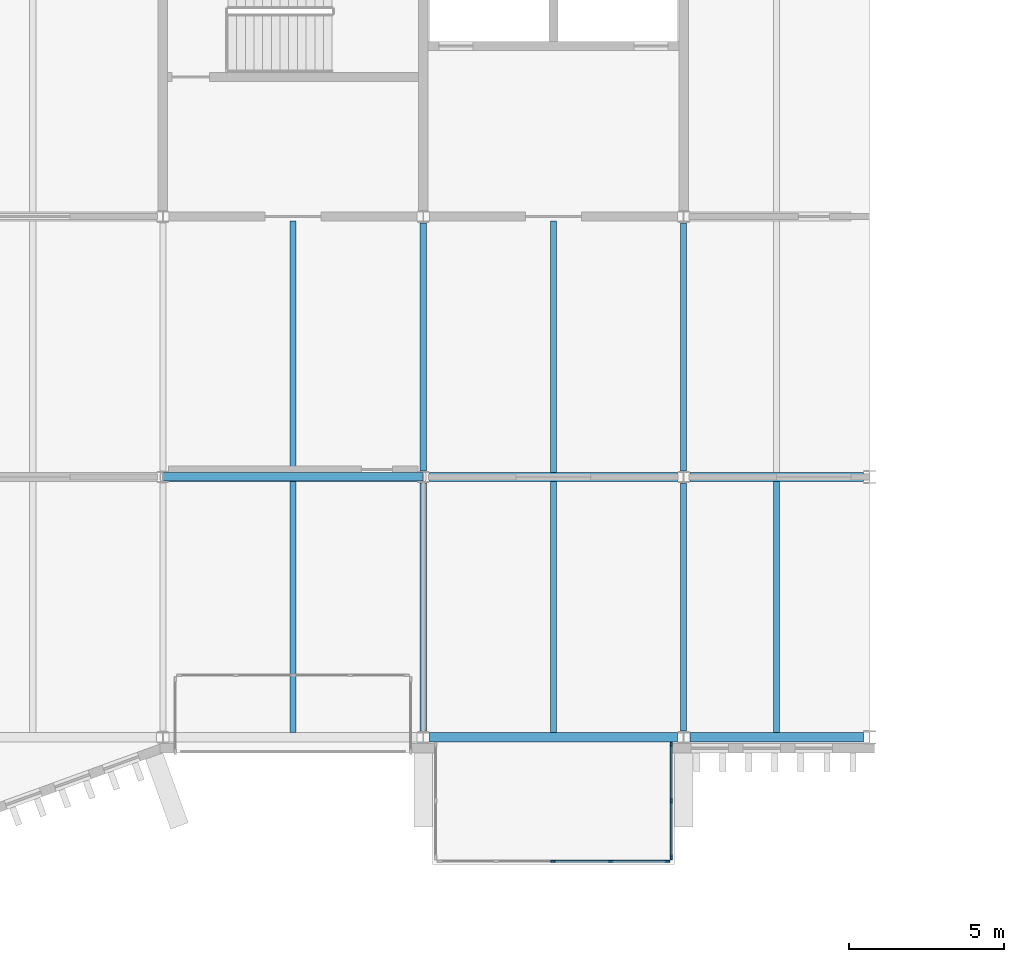
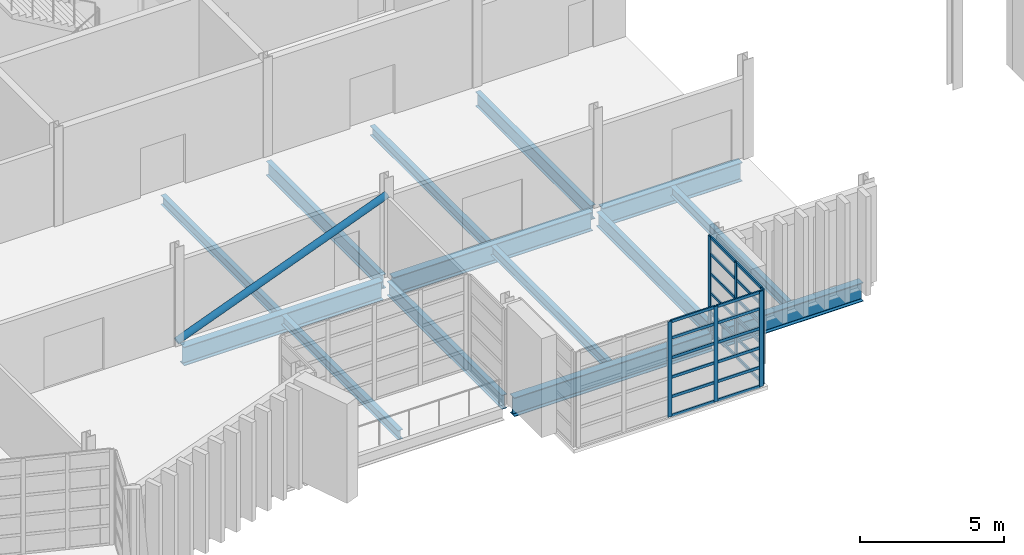
# One storey, part 37 of 96: 31 members, 14 beams, 2 elements without a shape of their own.
"""IFC4 building model written with IfcOpenShell, lengths in metres."""

from ifc_helpers import new_model, si_unit, direction, frame, origin, origin_2d, place, context, subcontext, project, spatial, rectangle, hollow_circle, i_section, extrude, material, layer, layer_set, material_profile, profile_set, type_object, element, aggregate, save


model = new_model("IFC4")

# Units and contexts
model_context = context("Model", 3, precision=1e-05, world=origin(), true_north=direction((0.0, 1.0)))
body_context = subcontext(model_context, "Body", "Model", "MODEL_VIEW")
ifc_project = project(units=[si_unit("LENGTHUNIT", "METRE"), si_unit("AREAUNIT", "SQUARE_METRE"), si_unit("VOLUMEUNIT", "CUBIC_METRE"), si_unit("PLANEANGLEUNIT", "RADIAN"), si_unit("MASSUNIT", "GRAM", prefix="KILO")], contexts=[model_context])

# Site, building, storey
site_placement = place(None, origin())
site = spatial("IfcSite", under=ifc_project, at=site_placement, CompositionType="ELEMENT")
building_placement = place(site_placement, origin())
building = spatial("IfcBuilding", under=site, at=building_placement, Name="Cresset Court Congress Hotel", CompositionType="ELEMENT")
storey_placement = place(building_placement, frame((0.0, 0.0, 6.0)))
storey = spatial("IfcBuildingStorey", under=building, at=storey_placement, Name="L01", CompositionType="ELEMENT", Elevation=6.0)

# Curtain wall, members
ifc_material_1 = material(Name="Aluminium frame with double glazing", Category="aluminium")
ifc_layer = layer(ifc_material_1, 0.199951171875)
ifc_layer_set = layer_set([ifc_layer], Name="Glazed box curtain wall 1680 module")
curtain_wall_type = type_object("IfcCurtainWallType", Name="Glazed box curtain wall 1680 module", PredefinedType="NOTDEFINED", material=ifc_layer_set)
curtain_wall_1_placement = place(storey_placement, origin())
curtain_wall_1 = element("IfcCurtainWall", 1, at=curtain_wall_1_placement, inside=storey, type_object=curtain_wall_type, Name="Glazed box S0121 front", PredefinedType="NOTDEFINED")
ifc_material_2 = material(Name="Aluminium", Category="aluminium")
ifc_material_profile_1 = material_profile(ifc_material_2, rectangle(XDim=0.06005859375, YDim=0.159912109375, at=origin_2d()), Name="Box mullion 60x160")
ifc_profile_set_1 = profile_set([ifc_material_profile_1], Name="Aluminium")
member_type_1 = type_object("IfcMemberType", Name="Box mullion 60x160", PredefinedType="MULLION", material=ifc_profile_set_1)
member_1_placement = place(storey_placement, frame((147.0, -4.0, 0.0), z_axis=(0.0, 0.0, 1.0), x_axis=(0.0, 1.0, 0.0)))
member_1 = element("IfcMember", 2, at=member_1_placement, type_object=member_type_1, Name="B-X1 mullion 3", PredefinedType="MULLION", context=body_context, shape_type="SweptSolid", body=[
    extrude(rectangle(XDim=0.06005859375, YDim=0.159912109375, at=origin_2d()), origin(), (0.0, 0.0, 1.0), 4.050048828125),
])
member_2_placement = place(storey_placement, frame((148.85009765625, -4.0, 0.0), z_axis=(0.0, 0.0, 1.0), x_axis=(0.0, 1.0, 0.0)))
member_2 = element("IfcMember", 3, at=member_2_placement, type_object=member_type_1, Name="B-X1 mullion 4", PredefinedType="MULLION", context=body_context, shape_type="SweptSolid", body=[
    extrude(rectangle(XDim=0.06005859375, YDim=0.159912109375, at=origin_2d()), origin(), (0.0, 0.0, 1.0), 4.050048828125),
])
member_3_placement = place(storey_placement, frame((150.669921875, -4.0, 0.0), z_axis=(0.0, 0.0, 1.0), x_axis=(0.0, 1.0, 0.0)))
member_3 = element("IfcMember", 4, at=member_3_placement, type_object=member_type_1, Name="B-X1 mullion 5", PredefinedType="MULLION", context=body_context, shape_type="SweptSolid", body=[
    extrude(rectangle(XDim=0.06005859375, YDim=0.159912109375, at=origin_2d()), origin(), (0.0, 0.0, 1.0), 4.050048828125),
])

curtain_wall_2_placement = place(storey_placement, origin())
curtain_wall_2 = element("IfcCurtainWall", 5, at=curtain_wall_2_placement, inside=storey, type_object=curtain_wall_type, Name="Glazed box S0121 side", PredefinedType="NOTDEFINED")
member_4_placement = place(storey_placement, frame((150.800048828125, -0.22998046875, 0.0), z_axis=(0.0, 0.0, 1.0), x_axis=(1.0, 0.0, 0.0)))
member_4 = element("IfcMember", 6, at=member_4_placement, type_object=member_type_1, Name="B-X1 mullion 1", PredefinedType="MULLION", context=body_context, shape_type="SweptSolid", body=[
    extrude(rectangle(XDim=0.06005859375, YDim=0.159912109375, at=origin_2d()), origin(), (0.0, 0.0, 1.0), 4.050048828125),
])
member_5_placement = place(storey_placement, frame((150.800048828125, -2.050048828125, 0.0), z_axis=(0.0, 0.0, 1.0), x_axis=(1.0, 0.0, 0.0)))
member_5 = element("IfcMember", 7, at=member_5_placement, type_object=member_type_1, Name="B-X1 mullion 2", PredefinedType="MULLION", context=body_context, shape_type="SweptSolid", body=[
    extrude(rectangle(XDim=0.06005859375, YDim=0.159912109375, at=origin_2d()), origin(), (0.0, 0.0, 1.0), 4.050048828125),
])
member_6_placement = place(storey_placement, frame((150.800048828125, -3.8701171875, 0.0), z_axis=(0.0, 0.0, 1.0), x_axis=(1.0, 0.0, 0.0)))
member_6 = element("IfcMember", 8, at=member_6_placement, type_object=member_type_1, Name="B-X1 mullion 3", PredefinedType="MULLION", context=body_context, shape_type="SweptSolid", body=[
    extrude(rectangle(XDim=0.06005859375, YDim=0.159912109375, at=origin_2d()), origin(), (0.0, 0.0, 1.0), 4.050048828125),
])

# Member
ifc_material_3 = material(Name="Aluminium", Category="aluminium")
ifc_material_profile_2 = material_profile(ifc_material_3, rectangle(XDim=0.06005859375, YDim=0.1201171875, at=origin_2d()), Name="Box transom 60x120")
ifc_profile_set_2 = profile_set([ifc_material_profile_2], Name="Aluminium")
member_type_2 = type_object("IfcMemberType", Name="Box transom 60x120", PredefinedType="USERDEFINED", material=ifc_profile_set_2)
member_7_placement = place(storey_placement, frame((147.030029296875, -4.0, 0.030029296875), z_axis=(1.0, 0.0, 0.0), x_axis=(0.0, 1.0, 0.0)))
member_7 = element("IfcMember", 9, at=member_7_placement, type_object=member_type_2, Name="B-X1 transom 3.1", ObjectType="TRANSOM", PredefinedType="USERDEFINED", context=body_context, shape_type="SweptSolid", body=[
    extrude(rectangle(XDim=0.06005859375, YDim=0.1201171875, at=origin_2d()), origin(), (0.0, 0.0, 1.0), 1.7900390625),
])

member_8_placement = place(storey_placement, frame((147.030029296875, -4.0, 0.830078125), z_axis=(1.0, 0.0, 0.0), x_axis=(0.0, 1.0, 0.0)))
member_8 = element("IfcMember", 10, at=member_8_placement, type_object=member_type_2, Name="B-X1 transom 3.2", ObjectType="TRANSOM", PredefinedType="USERDEFINED", context=body_context, shape_type="SweptSolid", body=[
    extrude(rectangle(XDim=0.06005859375, YDim=0.1201171875, at=origin_2d()), origin(), (0.0, 0.0, 1.0), 1.7900390625),
])

member_9_placement = place(storey_placement, frame((147.030029296875, -4.0, 1.659912109375), z_axis=(1.0, 0.0, 0.0), x_axis=(0.0, 1.0, 0.0)))
member_9 = element("IfcMember", 11, at=member_9_placement, type_object=member_type_2, Name="B-X1 transom 3.3", ObjectType="TRANSOM", PredefinedType="USERDEFINED", context=body_context, shape_type="SweptSolid", body=[
    extrude(rectangle(XDim=0.06005859375, YDim=0.1201171875, at=origin_2d()), origin(), (0.0, 0.0, 1.0), 1.7900390625),
])

member_10_placement = place(storey_placement, frame((147.030029296875, -4.0, 2.489990234375), z_axis=(1.0, 0.0, 0.0), x_axis=(0.0, 1.0, 0.0)))
member_10 = element("IfcMember", 12, at=member_10_placement, type_object=member_type_2, Name="B-X1 transom 3.4", ObjectType="TRANSOM", PredefinedType="USERDEFINED", context=body_context, shape_type="SweptSolid", body=[
    extrude(rectangle(XDim=0.06005859375, YDim=0.1201171875, at=origin_2d()), origin(), (0.0, 0.0, 1.0), 1.7900390625),
])

member_11_placement = place(storey_placement, frame((147.030029296875, -4.0, 3.320068359375), z_axis=(1.0, 0.0, 0.0), x_axis=(0.0, 1.0, 0.0)))
member_11 = element("IfcMember", 13, at=member_11_placement, type_object=member_type_2, Name="B-X1 transom 3.5", ObjectType="TRANSOM", PredefinedType="USERDEFINED", context=body_context, shape_type="SweptSolid", body=[
    extrude(rectangle(XDim=0.06005859375, YDim=0.1201171875, at=origin_2d()), origin(), (0.0, 0.0, 1.0), 1.7900390625),
])

member_12_placement = place(storey_placement, frame((147.030029296875, -4.0, 4.02001953125), z_axis=(1.0, 0.0, 0.0), x_axis=(0.0, 1.0, 0.0)))
member_12 = element("IfcMember", 14, at=member_12_placement, type_object=member_type_2, Name="B-X1 transom 3.6", ObjectType="TRANSOM", PredefinedType="USERDEFINED", context=body_context, shape_type="SweptSolid", body=[
    extrude(rectangle(XDim=0.06005859375, YDim=0.1201171875, at=origin_2d()), origin(), (0.0, 0.0, 1.0), 1.7900390625),
])

member_13_placement = place(storey_placement, frame((148.8798828125, -4.0, 0.030029296875), z_axis=(1.0, 0.0, 0.0), x_axis=(0.0, 1.0, 0.0)))
member_13 = element("IfcMember", 15, at=member_13_placement, type_object=member_type_2, Name="B-X1 transom 4.1", ObjectType="TRANSOM", PredefinedType="USERDEFINED", context=body_context, shape_type="SweptSolid", body=[
    extrude(rectangle(XDim=0.06005859375, YDim=0.1201171875, at=origin_2d()), origin(), (0.0, 0.0, 1.0), 1.760009765625),
])

member_14_placement = place(storey_placement, frame((148.8798828125, -4.0, 0.830078125), z_axis=(1.0, 0.0, 0.0), x_axis=(0.0, 1.0, 0.0)))
member_14 = element("IfcMember", 16, at=member_14_placement, type_object=member_type_2, Name="B-X1 transom 4.2", ObjectType="TRANSOM", PredefinedType="USERDEFINED", context=body_context, shape_type="SweptSolid", body=[
    extrude(rectangle(XDim=0.06005859375, YDim=0.1201171875, at=origin_2d()), origin(), (0.0, 0.0, 1.0), 1.760009765625),
])

member_15_placement = place(storey_placement, frame((148.8798828125, -4.0, 1.659912109375), z_axis=(1.0, 0.0, 0.0), x_axis=(0.0, 1.0, 0.0)))
member_15 = element("IfcMember", 17, at=member_15_placement, type_object=member_type_2, Name="B-X1 transom 4.3", ObjectType="TRANSOM", PredefinedType="USERDEFINED", context=body_context, shape_type="SweptSolid", body=[
    extrude(rectangle(XDim=0.06005859375, YDim=0.1201171875, at=origin_2d()), origin(), (0.0, 0.0, 1.0), 1.760009765625),
])

member_16_placement = place(storey_placement, frame((148.8798828125, -4.0, 2.489990234375), z_axis=(1.0, 0.0, 0.0), x_axis=(0.0, 1.0, 0.0)))
member_16 = element("IfcMember", 18, at=member_16_placement, type_object=member_type_2, Name="B-X1 transom 4.4", ObjectType="TRANSOM", PredefinedType="USERDEFINED", context=body_context, shape_type="SweptSolid", body=[
    extrude(rectangle(XDim=0.06005859375, YDim=0.1201171875, at=origin_2d()), origin(), (0.0, 0.0, 1.0), 1.760009765625),
])

member_17_placement = place(storey_placement, frame((148.8798828125, -4.0, 3.320068359375), z_axis=(1.0, 0.0, 0.0), x_axis=(0.0, 1.0, 0.0)))
member_17 = element("IfcMember", 19, at=member_17_placement, type_object=member_type_2, Name="B-X1 transom 4.5", ObjectType="TRANSOM", PredefinedType="USERDEFINED", context=body_context, shape_type="SweptSolid", body=[
    extrude(rectangle(XDim=0.06005859375, YDim=0.1201171875, at=origin_2d()), origin(), (0.0, 0.0, 1.0), 1.760009765625),
])

member_18_placement = place(storey_placement, frame((148.8798828125, -4.0, 4.02001953125), z_axis=(1.0, 0.0, 0.0), x_axis=(0.0, 1.0, 0.0)))
member_18 = element("IfcMember", 20, at=member_18_placement, type_object=member_type_2, Name="B-X1 transom 4.6", ObjectType="TRANSOM", PredefinedType="USERDEFINED", context=body_context, shape_type="SweptSolid", body=[
    extrude(rectangle(XDim=0.06005859375, YDim=0.1201171875, at=origin_2d()), origin(), (0.0, 0.0, 1.0), 1.760009765625),
])

aggregate(curtain_wall_1, [member_1, member_2, member_3, member_7, member_8, member_9, member_10, member_11, member_12, member_13, member_14, member_15, member_16, member_17, member_18])

member_19_placement = place(storey_placement, frame((150.800048828125, -0.260009765625, 0.030029296875), z_axis=(0.0, -1.0, 0.0), x_axis=(1.0, 0.0, 0.0)))
member_19 = element("IfcMember", 21, at=member_19_placement, type_object=member_type_2, Name="B-X1 transom 1.1", ObjectType="TRANSOM", PredefinedType="USERDEFINED", context=body_context, shape_type="SweptSolid", body=[
    extrude(rectangle(XDim=0.06005859375, YDim=0.1201171875, at=origin_2d()), origin(), (0.0, 0.0, 1.0), 1.760009765625),
])

member_20_placement = place(storey_placement, frame((150.800048828125, -0.260009765625, 0.830078125), z_axis=(0.0, -1.0, 0.0), x_axis=(1.0, 0.0, 0.0)))
member_20 = element("IfcMember", 22, at=member_20_placement, type_object=member_type_2, Name="B-X1 transom 1.2", ObjectType="TRANSOM", PredefinedType="USERDEFINED", context=body_context, shape_type="SweptSolid", body=[
    extrude(rectangle(XDim=0.06005859375, YDim=0.1201171875, at=origin_2d()), origin(), (0.0, 0.0, 1.0), 1.760009765625),
])

member_21_placement = place(storey_placement, frame((150.800048828125, -0.260009765625, 1.659912109375), z_axis=(0.0, -1.0, 0.0), x_axis=(1.0, 0.0, 0.0)))
member_21 = element("IfcMember", 23, at=member_21_placement, type_object=member_type_2, Name="B-X1 transom 1.3", ObjectType="TRANSOM", PredefinedType="USERDEFINED", context=body_context, shape_type="SweptSolid", body=[
    extrude(rectangle(XDim=0.06005859375, YDim=0.1201171875, at=origin_2d()), origin(), (0.0, 0.0, 1.0), 1.760009765625),
])

member_22_placement = place(storey_placement, frame((150.800048828125, -0.260009765625, 2.489990234375), z_axis=(0.0, -1.0, 0.0), x_axis=(1.0, 0.0, 0.0)))
member_22 = element("IfcMember", 24, at=member_22_placement, type_object=member_type_2, Name="B-X1 transom 1.4", ObjectType="TRANSOM", PredefinedType="USERDEFINED", context=body_context, shape_type="SweptSolid", body=[
    extrude(rectangle(XDim=0.06005859375, YDim=0.1201171875, at=origin_2d()), origin(), (0.0, 0.0, 1.0), 1.760009765625),
])

member_23_placement = place(storey_placement, frame((150.800048828125, -0.260009765625, 3.320068359375), z_axis=(0.0, -1.0, 0.0), x_axis=(1.0, 0.0, 0.0)))
member_23 = element("IfcMember", 25, at=member_23_placement, type_object=member_type_2, Name="B-X1 transom 1.5", ObjectType="TRANSOM", PredefinedType="USERDEFINED", context=body_context, shape_type="SweptSolid", body=[
    extrude(rectangle(XDim=0.06005859375, YDim=0.1201171875, at=origin_2d()), origin(), (0.0, 0.0, 1.0), 1.760009765625),
])

member_24_placement = place(storey_placement, frame((150.800048828125, -0.260009765625, 4.02001953125), z_axis=(0.0, -1.0, 0.0), x_axis=(1.0, 0.0, 0.0)))
member_24 = element("IfcMember", 26, at=member_24_placement, type_object=member_type_2, Name="B-X1 transom 1.6", ObjectType="TRANSOM", PredefinedType="USERDEFINED", context=body_context, shape_type="SweptSolid", body=[
    extrude(rectangle(XDim=0.06005859375, YDim=0.1201171875, at=origin_2d()), origin(), (0.0, 0.0, 1.0), 1.760009765625),
])

member_25_placement = place(storey_placement, frame((150.800048828125, -2.080078125, 0.030029296875), z_axis=(0.0, -1.0, 0.0), x_axis=(1.0, 0.0, 0.0)))
member_25 = element("IfcMember", 27, at=member_25_placement, type_object=member_type_2, Name="B-X1 transom 2.1", ObjectType="TRANSOM", PredefinedType="USERDEFINED", context=body_context, shape_type="SweptSolid", body=[
    extrude(rectangle(XDim=0.06005859375, YDim=0.1201171875, at=origin_2d()), origin(), (0.0, 0.0, 1.0), 1.760009765625),
])

member_26_placement = place(storey_placement, frame((150.800048828125, -2.080078125, 0.830078125), z_axis=(0.0, -1.0, 0.0), x_axis=(1.0, 0.0, 0.0)))
member_26 = element("IfcMember", 28, at=member_26_placement, type_object=member_type_2, Name="B-X1 transom 2.2", ObjectType="TRANSOM", PredefinedType="USERDEFINED", context=body_context, shape_type="SweptSolid", body=[
    extrude(rectangle(XDim=0.06005859375, YDim=0.1201171875, at=origin_2d()), origin(), (0.0, 0.0, 1.0), 1.760009765625),
])

member_27_placement = place(storey_placement, frame((150.800048828125, -2.080078125, 1.659912109375), z_axis=(0.0, -1.0, 0.0), x_axis=(1.0, 0.0, 0.0)))
member_27 = element("IfcMember", 29, at=member_27_placement, type_object=member_type_2, Name="B-X1 transom 2.3", ObjectType="TRANSOM", PredefinedType="USERDEFINED", context=body_context, shape_type="SweptSolid", body=[
    extrude(rectangle(XDim=0.06005859375, YDim=0.1201171875, at=origin_2d()), origin(), (0.0, 0.0, 1.0), 1.760009765625),
])

member_28_placement = place(storey_placement, frame((150.800048828125, -2.080078125, 2.489990234375), z_axis=(0.0, -1.0, 0.0), x_axis=(1.0, 0.0, 0.0)))
member_28 = element("IfcMember", 30, at=member_28_placement, type_object=member_type_2, Name="B-X1 transom 2.4", ObjectType="TRANSOM", PredefinedType="USERDEFINED", context=body_context, shape_type="SweptSolid", body=[
    extrude(rectangle(XDim=0.06005859375, YDim=0.1201171875, at=origin_2d()), origin(), (0.0, 0.0, 1.0), 1.760009765625),
])

member_29_placement = place(storey_placement, frame((150.800048828125, -2.080078125, 3.320068359375), z_axis=(0.0, -1.0, 0.0), x_axis=(1.0, 0.0, 0.0)))
member_29 = element("IfcMember", 31, at=member_29_placement, type_object=member_type_2, Name="B-X1 transom 2.5", ObjectType="TRANSOM", PredefinedType="USERDEFINED", context=body_context, shape_type="SweptSolid", body=[
    extrude(rectangle(XDim=0.06005859375, YDim=0.1201171875, at=origin_2d()), origin(), (0.0, 0.0, 1.0), 1.760009765625),
])

member_30_placement = place(storey_placement, frame((150.800048828125, -2.080078125, 4.02001953125), z_axis=(0.0, -1.0, 0.0), x_axis=(1.0, 0.0, 0.0)))
member_30 = element("IfcMember", 32, at=member_30_placement, type_object=member_type_2, Name="B-X1 transom 2.6", ObjectType="TRANSOM", PredefinedType="USERDEFINED", context=body_context, shape_type="SweptSolid", body=[
    extrude(rectangle(XDim=0.06005859375, YDim=0.1201171875, at=origin_2d()), origin(), (0.0, 0.0, 1.0), 1.760009765625),
])

aggregate(curtain_wall_2, [member_4, member_5, member_6, member_19, member_20, member_21, member_22, member_23, member_24, member_25, member_26, member_27, member_28, member_29, member_30])

# Beams
ifc_material_4 = material(Name="Structural steel Q355B", Category="steel")
ifc_material_profile_3 = material_profile(ifc_material_4, i_section(OverallWidth=0.199951171875, OverallDepth=0.60009765625, WebThickness=0.010986328125, FlangeThickness=0.01708984375, FilletRadius=0.012939453125, at=origin_2d()), Name="HN600x200x11x17")
ifc_profile_set_3 = profile_set([ifc_material_profile_3], Name="Structural steel Q355B")
beam_type_1 = type_object("IfcBeamType", Name="Steel beam HN600x200x11x17", PredefinedType="BEAM", material=ifc_profile_set_3)
for number, where, z_axis, x_axis, name in (
    (33, (142.800048828125, 0.199951171875, -0.449951171875), (0.0, 1.0, 0.0), (-1.0, 0.0, 0.0), "B.by.L01.18A"),
    (34, (142.800048828125, 8.60009765625, -0.449951171875), (0.0, 1.0, 0.0), (-1.0, 0.0, 0.0), "B.by.L01.18B"),
    (35, (151.199951171875, 0.199951171875, -0.449951171875), (0.0, 1.0, 0.0), (-1.0, 0.0, 0.0), "B.by.L01.19A"),
    (36, (151.199951171875, 8.60009765625, -0.449951171875), (0.0, 1.0, 0.0), (-1.0, 0.0, 0.0), "B.by.L01.19B"),
):
    element("IfcBeam", number, at=place(storey_placement, frame(where, z_axis=z_axis, x_axis=x_axis)), inside=storey, type_object=beam_type_1, Name=name, PredefinedType="BEAM", context=body_context, shape_type="SweptSolid", body=[
        extrude(i_section(OverallWidth=0.199951171875, OverallDepth=0.60009765625, WebThickness=0.010986328125, FlangeThickness=0.01708984375, FilletRadius=0.012939453125, at=origin_2d()), origin(), (0.0, 0.0, 1.0), 8.0),
    ])
ifc_material_5 = material(Name="Structural steel Q355B", Category="steel")
ifc_material_profile_4 = material_profile(ifc_material_5, i_section(OverallWidth=0.300048828125, OverallDepth=0.800048828125, WebThickness=0.013916015625, FlangeThickness=0.02587890625, FilletRadius=0.01806640625, at=origin_2d()), Name="HN800x300x14x26")
ifc_profile_set_4 = profile_set([ifc_material_profile_4], Name="Structural steel Q355B")
beam_type_2 = type_object("IfcBeamType", Name="Steel beam HN800x300x14x26", PredefinedType="BEAM", material=ifc_profile_set_4)
beam_1_placement = place(storey_placement, frame((143.0, 0.0, -0.550048828125), z_axis=(1.0, 0.0, 0.0), x_axis=(0.0, 1.0, 0.0)))
element("IfcBeam", 37, at=beam_1_placement, inside=storey, type_object=beam_type_2, Name="B.bx.L01.A18", PredefinedType="BEAM", context=body_context, shape_type="SweptSolid", body=[
    extrude(i_section(OverallWidth=0.300048828125, OverallDepth=0.800048828125, WebThickness=0.013916015625, FlangeThickness=0.02587890625, FilletRadius=0.01806640625, at=origin_2d()), origin(), (0.0, 0.0, 1.0), 8.0),
])
beam_2_placement = place(storey_placement, frame((151.39990234375, 0.0, -0.550048828125), z_axis=(1.0, 0.0, 0.0), x_axis=(0.0, 1.0, 0.0)))
element("IfcBeam", 38, at=beam_2_placement, inside=storey, type_object=beam_type_2, Name="B.bx.L01.A19", PredefinedType="BEAM", context=body_context, shape_type="SweptSolid", body=[
    extrude(i_section(OverallWidth=0.300048828125, OverallDepth=0.800048828125, WebThickness=0.013916015625, FlangeThickness=0.02587890625, FilletRadius=0.01806640625, at=origin_2d()), origin(), (0.0, 0.0, 1.0), 5.60009765625),
])
for number, where, z_axis, x_axis, name in (
    (39, (134.60009765625, 8.39990234375, -0.550048828125), (1.0, 0.0, 0.0), (0.0, 1.0, 0.0), "B.bx.L01.B17"),
    (40, (143.0, 8.39990234375, -0.550048828125), (1.0, 0.0, 0.0), (0.0, 1.0, 0.0), "B.bx.L01.B18"),
):
    element("IfcBeam", number, at=place(storey_placement, frame(where, z_axis=z_axis, x_axis=x_axis)), inside=storey, type_object=beam_type_2, Name=name, PredefinedType="BEAM", context=body_context, shape_type="SweptSolid", body=[
        extrude(i_section(OverallWidth=0.300048828125, OverallDepth=0.800048828125, WebThickness=0.013916015625, FlangeThickness=0.02587890625, FilletRadius=0.01806640625, at=origin_2d()), origin(), (0.0, 0.0, 1.0), 8.0),
    ])
beam_3_placement = place(storey_placement, frame((151.39990234375, 8.39990234375, -0.550048828125), z_axis=(1.0, 0.0, 0.0), x_axis=(0.0, 1.0, 0.0)))
element("IfcBeam", 41, at=beam_3_placement, inside=storey, type_object=beam_type_2, Name="B.bx.L01.B19", PredefinedType="BEAM", context=body_context, shape_type="SweptSolid", body=[
    extrude(i_section(OverallWidth=0.300048828125, OverallDepth=0.800048828125, WebThickness=0.013916015625, FlangeThickness=0.02587890625, FilletRadius=0.01806640625, at=origin_2d()), origin(), (0.0, 0.0, 1.0), 5.60009765625),
])

# Member
ifc_material_6 = material(Name="Structural steel Q355B", Category="steel")
ifc_material_profile_5 = material_profile(ifc_material_6, hollow_circle(Radius=0.136474609375, WallThickness=0.011962890625, at=origin_2d()), Name="CHS273x12")
ifc_profile_set_5 = profile_set([ifc_material_profile_5], Name="Structural steel Q355B")
member_type_3 = type_object("IfcMemberType", Name="Steel brace CHS273x12", PredefinedType="BRACE", material=ifc_profile_set_5)
member_31_placement = place(storey_placement, frame((134.375, 8.39990234375, 0.10009765625), z_axis=(0.932974115402, 0.0, 0.359943467769), x_axis=(0.0, 1.0, 0.0)))
element("IfcMember", 42, at=member_31_placement, inside=storey, type_object=member_type_3, Name="Brace L01 17", PredefinedType="BRACE", context=body_context, shape_type="SweptSolid", body=[
    extrude(hollow_circle(Radius=0.136474609375, WallThickness=0.011962890625, at=origin_2d()), origin(), (0.0, 0.0, 1.0), 9.056884765625),
])

# Beams
ifc_material_7 = material(Name="Structural steel Q355B", Category="steel")
ifc_material_profile_6 = material_profile(ifc_material_7, i_section(OverallWidth=0.199951171875, OverallDepth=0.39990234375, WebThickness=0.008056640625, FlangeThickness=0.012939453125, FilletRadius=0.01611328125, at=origin_2d()), Name="HN400x200x8x13")
ifc_profile_set_6 = profile_set([ifc_material_profile_6], Name="Structural steel Q355B")
beam_type_3 = type_object("IfcBeamType", Name="Steel joist HN400x200x8x13", PredefinedType="JOIST", material=ifc_profile_set_6)
beam_4_placement = place(storey_placement, frame((138.60009765625, 0.14990234375, -0.35009765625), z_axis=(0.0, 1.0, 0.0), x_axis=(-1.0, 0.0, 0.0)))
element("IfcBeam", 43, at=beam_4_placement, inside=storey, type_object=beam_type_3, Name="B.bj.L01.17A", PredefinedType="JOIST", context=body_context, shape_type="SweptSolid", body=[
    extrude(i_section(OverallWidth=0.199951171875, OverallDepth=0.39990234375, WebThickness=0.008056640625, FlangeThickness=0.012939453125, FilletRadius=0.01611328125, at=origin_2d()), origin(), (0.0, 0.0, 1.0), 8.10009765625),
])
beam_5_placement = place(storey_placement, frame((138.60009765625, 8.550048828125, -0.35009765625), z_axis=(0.0, 1.0, 0.0), x_axis=(-1.0, 0.0, 0.0)))
element("IfcBeam", 44, at=beam_5_placement, inside=storey, type_object=beam_type_3, Name="B.bj.L01.17B", PredefinedType="JOIST", context=body_context, shape_type="SweptSolid", body=[
    extrude(i_section(OverallWidth=0.199951171875, OverallDepth=0.39990234375, WebThickness=0.008056640625, FlangeThickness=0.012939453125, FilletRadius=0.01611328125, at=origin_2d()), origin(), (0.0, 0.0, 1.0), 8.099853515625),
])
beam_6_placement = place(storey_placement, frame((147.0, 0.14990234375, -0.35009765625), z_axis=(0.0, 1.0, 0.0), x_axis=(-1.0, 0.0, 0.0)))
element("IfcBeam", 45, at=beam_6_placement, inside=storey, type_object=beam_type_3, Name="B.bj.L01.18A", PredefinedType="JOIST", context=body_context, shape_type="SweptSolid", body=[
    extrude(i_section(OverallWidth=0.199951171875, OverallDepth=0.39990234375, WebThickness=0.008056640625, FlangeThickness=0.012939453125, FilletRadius=0.01611328125, at=origin_2d()), origin(), (0.0, 0.0, 1.0), 8.10009765625),
])
beam_7_placement = place(storey_placement, frame((147.0, 8.550048828125, -0.35009765625), z_axis=(0.0, 1.0, 0.0), x_axis=(-1.0, 0.0, 0.0)))
element("IfcBeam", 46, at=beam_7_placement, inside=storey, type_object=beam_type_3, Name="B.bj.L01.18B", PredefinedType="JOIST", context=body_context, shape_type="SweptSolid", body=[
    extrude(i_section(OverallWidth=0.199951171875, OverallDepth=0.39990234375, WebThickness=0.008056640625, FlangeThickness=0.012939453125, FilletRadius=0.01611328125, at=origin_2d()), origin(), (0.0, 0.0, 1.0), 8.099853515625),
])
beam_8_placement = place(storey_placement, frame((154.199951171875, 0.14990234375, -0.35009765625), z_axis=(0.0, 1.0, 0.0), x_axis=(-1.0, 0.0, 0.0)))
element("IfcBeam", 47, at=beam_8_placement, inside=storey, type_object=beam_type_3, Name="B.bj.L01.19A", PredefinedType="JOIST", context=body_context, shape_type="SweptSolid", body=[
    extrude(i_section(OverallWidth=0.199951171875, OverallDepth=0.39990234375, WebThickness=0.008056640625, FlangeThickness=0.012939453125, FilletRadius=0.01611328125, at=origin_2d()), origin(), (0.0, 0.0, 1.0), 8.10009765625),
])

save(model, "model.ifc")
